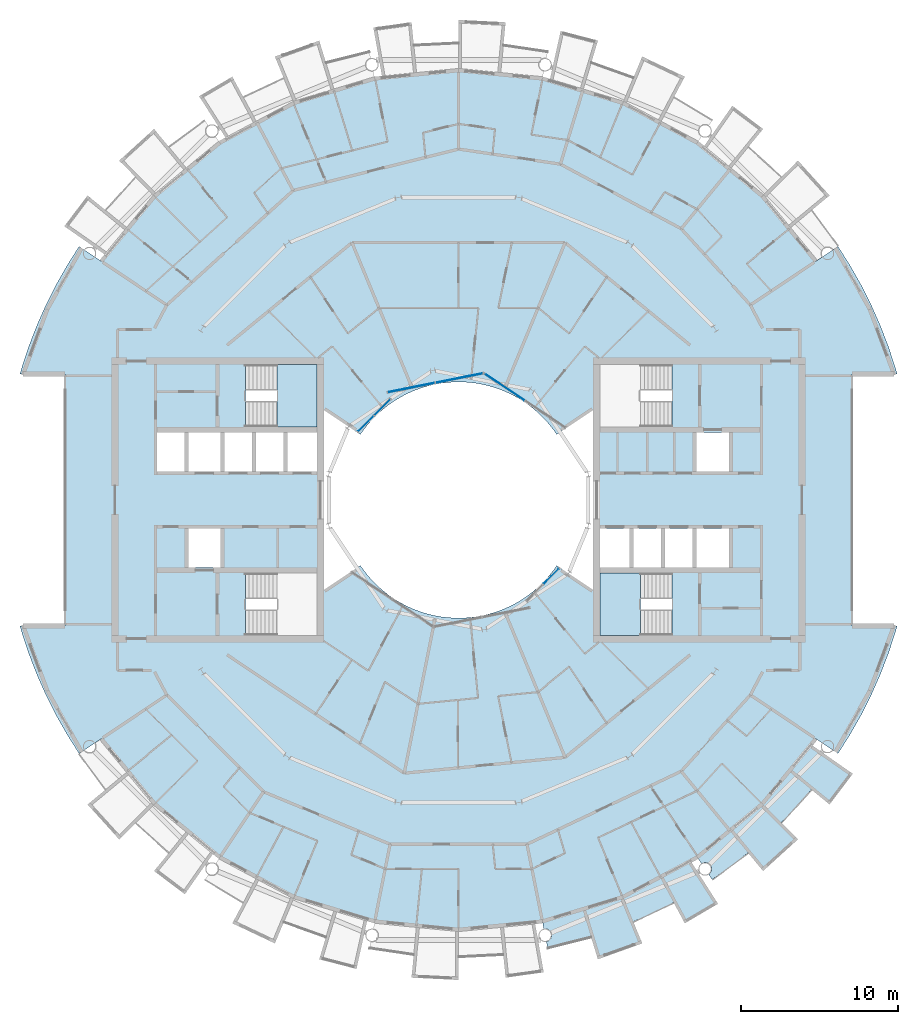
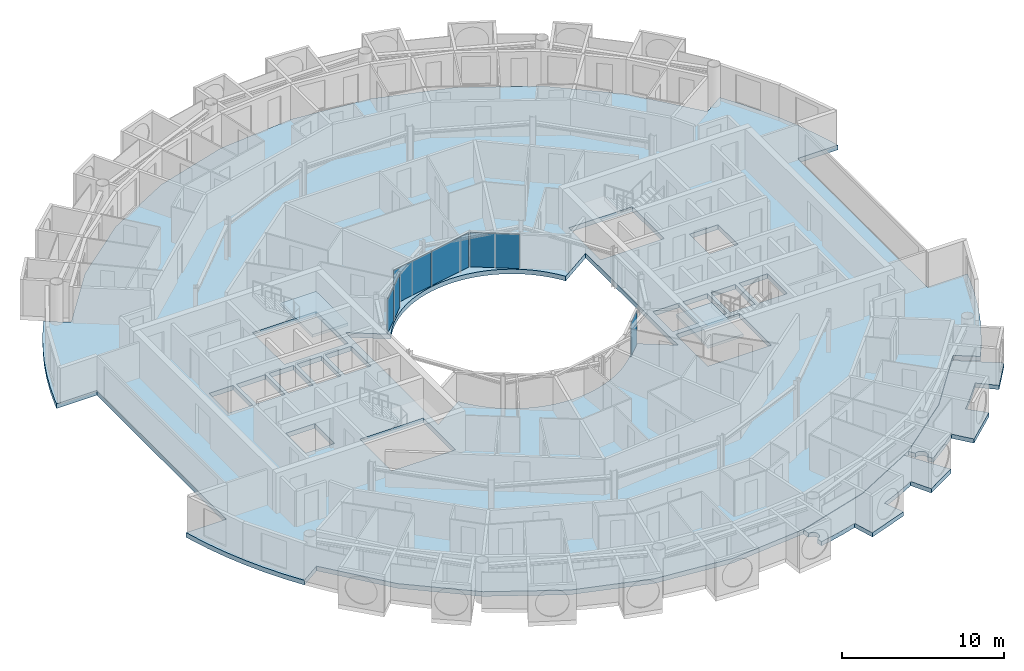
# One storey, part 12 of 29: 6 plates, 5 slabs, 6 elements without a shape of their own.
"""IFC4 building model written with IfcOpenShell, lengths in metres."""

from ifc_helpers import new_model, si_unit, direction, frame, origin, origin_2d, place, context, subcontext, project, spatial, polyline, rectangle, outline, extrude, material, layer, layer_set, type_object, element, aggregate, save


model = new_model("IFC4")

# Units and contexts
model_context = context("Model", 3, precision=1e-05, world=origin(), true_north=direction((0.0, 1.0)))
body_context = subcontext(model_context, "Body", "Model", "MODEL_VIEW")
ifc_project = project(units=[si_unit("LENGTHUNIT", "METRE"), si_unit("AREAUNIT", "SQUARE_METRE"), si_unit("VOLUMEUNIT", "CUBIC_METRE"), si_unit("PLANEANGLEUNIT", "RADIAN"), si_unit("MASSUNIT", "GRAM", prefix="KILO")], contexts=[model_context])

# Site, building, storey
site_placement = place(None, origin())
site = spatial("IfcSite", under=ifc_project, at=site_placement, CompositionType="ELEMENT")
building_placement = place(site_placement, origin())
building = spatial("IfcBuilding", under=site, at=building_placement, Name="Maasbend Ring Residences", CompositionType="ELEMENT")
storey_placement = place(building_placement, frame((0.0, 0.0, 212.699951171875)))
storey = spatial("IfcBuildingStorey", under=building, at=storey_placement, Name="L61", CompositionType="ELEMENT", Elevation=212.699951171875)

# Stair, slab
ifc_material_1 = material(Name="Concrete C40/50", Category="concrete")
stair_type = type_object("IfcStairType", Name="CORE STAIR 18 RISERS", PredefinedType="HALF_TURN_STAIR", material=ifc_material_1)
stair_1_placement = place(storey_placement, origin())
stair_1 = element("IfcStair", 1, at=stair_1_placement, inside=storey, type_object=stair_type, Name="L61 Exit stair ST-E2", PredefinedType="HALF_TURN_STAIR")
ifc_material_2 = material(Name="Concrete C40/50", Category="concrete")
ifc_layer_1 = layer(ifc_material_2, 0.199951171875)
ifc_layer_set_1 = layer_set([ifc_layer_1], Name="Concrete C40/50")
slab_type_1 = type_object("IfcSlabType", Name="CORE STAIR LANDING 200", PredefinedType="LANDING", material=ifc_layer_set_1)
slab_1_placement = place(storey_placement, frame((0.0, 0.0, 1.324951171875)))
slab_1 = element("IfcSlab", 2, at=slab_1_placement, type_object=slab_type_1, Name="ST-E2 landing 1", PredefinedType="LANDING", context=body_context, shape_type="SweptSolid", body=[
    extrude(outline(polyline([(11.550048828125, -4.64990234375), (9.0, -4.64990234375), (9.0, -8.60009765625), (11.550048828125, -8.60009765625), (11.550048828125, -4.64990234375)])), origin(), (0.0, 0.0, 1.0), 0.2001953125),
])
aggregate(stair_1, [slab_1])

stair_2_placement = place(storey_placement, origin())
stair_2 = element("IfcStair", 3, at=stair_2_placement, inside=storey, type_object=stair_type, Name="L61 Exit stair ST-W2", PredefinedType="HALF_TURN_STAIR")
slab_2_placement = place(storey_placement, frame((0.0, 0.0, 1.324951171875)))
slab_2 = element("IfcSlab", 4, at=slab_2_placement, type_object=slab_type_1, Name="ST-W2 landing 1", PredefinedType="LANDING", context=body_context, shape_type="SweptSolid", body=[
    extrude(outline(polyline([(-11.550048828125, 4.64990234375), (-9.0, 4.64990234375), (-9.0, 8.60009765625), (-11.550048828125, 8.60009765625), (-11.550048828125, 4.64990234375)])), origin(), (0.0, 0.0, 1.0), 0.2001953125),
])
aggregate(stair_2, [slab_2])

# Curtain wall, plate
ifc_material_3 = material(Name="Aluminium and clear glass", Category="aluminium")
ifc_layer_2 = layer(ifc_material_3, 0.179931640625)
ifc_layer_set_2 = layer_set([ifc_layer_2], Name="CW-W")
curtain_wall_type = type_object("IfcCurtainWallType", Name="CW-W", PredefinedType="NOTDEFINED", material=ifc_layer_set_2)
curtain_wall_1_placement = place(storey_placement, origin())
curtain_wall_1 = element("IfcCurtainWall", 5, at=curtain_wall_1_placement, inside=storey, type_object=curtain_wall_type, Name="Well curtain wall N1", PredefinedType="NOTDEFINED")
ifc_material_4 = material(Name="Glass clear laminated", Category="glass")
ifc_layer_3 = layer(ifc_material_4, 0.031982421875)
ifc_layer_set_3 = layer_set([ifc_layer_3], Name="CWP-W")
plate_type = type_object("IfcPlateType", Name="CWP-W", PredefinedType="CURTAIN_PANEL", material=ifc_layer_set_3)
plate_1_placement = place(storey_placement, frame((2.922119140625, 7.17578125, 0.0), z_axis=(0.0, 0.0, 1.0), x_axis=(-0.831469612303, 0.55557023302, 0.0)))
plate_1 = element("IfcPlate", 6, at=plate_1_placement, type_object=plate_type, Name="Glass panel well face", PredefinedType="CURTAIN_PANEL", context=body_context, shape_type="SweptSolid", body=[
    extrude(rectangle(XDim=3.053955078125, YDim=0.031982421875, at=origin_2d()), origin(), (0.0, 0.0, 1.0), 2.580078125),
])
aggregate(curtain_wall_1, [plate_1])

# Curtain wall, plates
curtain_wall_2_placement = place(storey_placement, origin())
curtain_wall_2 = element("IfcCurtainWall", 7, at=curtain_wall_2_placement, inside=storey, type_object=curtain_wall_type, Name="Well curtain wall N2", PredefinedType="NOTDEFINED")
plate_2_placement = place(storey_placement, frame((0.04638671875, 7.747802734375, 0.0), z_axis=(0.0, 0.0, 1.0), x_axis=(-0.980785280403, -0.195090322016, 0.0)))
plate_2 = element("IfcPlate", 8, at=plate_2_placement, type_object=plate_type, Name="Glass panel well face", PredefinedType="CURTAIN_PANEL", context=body_context, shape_type="SweptSolid", body=[
    extrude(rectangle(XDim=3.053955078125, YDim=0.031982421875, at=origin_2d()), origin(), (0.0, 0.0, 1.0), 2.580078125),
])
plate_3_placement = place(storey_placement, frame((-3.0078125, 7.140380859375, 0.0), z_axis=(0.0, 0.0, 1.0), x_axis=(-0.980785280403, -0.195090322016, 0.0)))
plate_3 = element("IfcPlate", 9, at=plate_3_placement, type_object=plate_type, Name="Glass panel well face", PredefinedType="CURTAIN_PANEL", context=body_context, shape_type="SweptSolid", body=[
    extrude(rectangle(XDim=3.053955078125, YDim=0.031982421875, at=origin_2d()), origin(), (0.0, 0.0, 1.0), 2.580078125),
])
aggregate(curtain_wall_2, [plate_2, plate_3])

curtain_wall_3_placement = place(storey_placement, origin())
curtain_wall_3 = element("IfcCurtainWall", 10, at=curtain_wall_3_placement, inside=storey, type_object=curtain_wall_type, Name="Well curtain wall N3", PredefinedType="NOTDEFINED")
plate_4_placement = place(storey_placement, frame((-4.84375, 5.89013671875, 0.0), z_axis=(0.0, 0.0, 1.0), x_axis=(-0.707106781187, -0.707106781187, 0.0)))
plate_4 = element("IfcPlate", 11, at=plate_4_placement, type_object=plate_type, Name="Glass panel well face", PredefinedType="CURTAIN_PANEL", context=body_context, shape_type="SweptSolid", body=[
    extrude(rectangle(XDim=1.419677734375, YDim=0.031982421875, at=origin_2d()), origin(), (0.0, 0.0, 1.0), 2.580078125),
])
plate_5_placement = place(storey_placement, frame((-5.89013671875, 4.84375, 0.0), z_axis=(0.0, 0.0, 1.0), x_axis=(-0.707106781187, -0.707106781187, 0.0)))
plate_5 = element("IfcPlate", 12, at=plate_5_placement, type_object=plate_type, Name="Glass panel well face", PredefinedType="CURTAIN_PANEL", context=body_context, shape_type="SweptSolid", body=[
    extrude(rectangle(XDim=1.419677734375, YDim=0.031982421875, at=origin_2d()), origin(), (0.0, 0.0, 1.0), 2.580078125),
])
aggregate(curtain_wall_3, [plate_4, plate_5])

# Curtain wall, plate
curtain_wall_4_placement = place(storey_placement, origin())
curtain_wall_4 = element("IfcCurtainWall", 13, at=curtain_wall_4_placement, inside=storey, type_object=curtain_wall_type, Name="Well curtain wall S3", PredefinedType="NOTDEFINED")
plate_6_placement = place(storey_placement, frame((5.89013671875, -4.84375, 0.0), z_axis=(0.0, 0.0, 1.0), x_axis=(0.707106781187, 0.707106781187, 0.0)))
plate_6 = element("IfcPlate", 14, at=plate_6_placement, type_object=plate_type, Name="Glass panel well face", PredefinedType="CURTAIN_PANEL", context=body_context, shape_type="SweptSolid", body=[
    extrude(rectangle(XDim=1.419677734375, YDim=0.031982421875, at=origin_2d()), origin(), (0.0, 0.0, 1.0), 2.580078125),
])
aggregate(curtain_wall_4, [plate_6])

# Slabs
ifc_material_5 = material(Name="Concrete C40/50", Category="concrete")
ifc_layer_4 = layer(ifc_material_5, 0.35009765625)
ifc_layer_set_4 = layer_set([ifc_layer_4], Name="Concrete C40/50")
slab_type_2 = type_object("IfcSlabType", Name="Post-tensioned flat plate 350", PredefinedType="FLOOR", material=ifc_layer_set_4)
slab_3_placement = place(storey_placement, frame((0.0, 0.0, -0.349853515625)))
element("IfcSlab", 15, at=slab_3_placement, inside=storey, type_object=slab_type_2, Name="Floor slab L61", PredefinedType="FLOOR", context=body_context, shape_type="SweptSolid", body=[
    extrude(outline(polyline([(24.8740234375, -14.908935546875), (25.57568359375, -13.67041015625), (26.2158203125, -12.399169921875), (26.79248046875, -11.097900390625), (27.3046875, -9.769775390625), (27.751220703125, -8.418212890625), (27.866943359375, -8.0), (25.0, -8.0), (25.0, 8.0), (27.866943359375, 8.0), (27.751220703125, 8.418212890625), (27.3046875, 9.769775390625), (26.79248046875, 11.097900390625), (26.2158203125, 12.399169921875), (25.57568359375, 13.67041015625), (24.8740234375, 14.908935546875), (24.112548828125, 16.111572265625), (22.69921875, 15.1669921875), (19.303955078125, 19.303955078125), (15.1669921875, 22.69921875), (10.447265625, 25.221923828125), (5.325927734375, 26.775390625), (0.0, 27.300048828125), (-5.325927734375, 26.775390625), (-10.447265625, 25.221923828125), (-15.1669921875, 22.69921875), (-19.303955078125, 19.303955078125), (-22.69921875, 15.1669921875), (-24.112548828125, 16.111572265625), (-24.8740234375, 14.908935546875), (-25.57568359375, 13.67041015625), (-26.2158203125, 12.399169921875), (-26.79248046875, 11.097900390625), (-27.3046875, 9.769775390625), (-27.751220703125, 8.418212890625), (-27.866943359375, 8.0), (-25.0, 8.0), (-25.0, -8.0), (-27.866943359375, -8.0), (-27.751220703125, -8.418212890625), (-27.3046875, -9.769775390625), (-26.79248046875, -11.097900390625), (-26.2158203125, -12.399169921875), (-25.57568359375, -13.67041015625), (-24.8740234375, -14.908935546875), (-24.112548828125, -16.111572265625), (-22.69921875, -15.1669921875), (-19.303955078125, -19.303955078125), (-15.1669921875, -22.69921875), (-10.447265625, -25.221923828125), (-5.325927734375, -26.775390625), (0.0, -27.300048828125), (5.325927734375, -26.775390625), (10.447265625, -25.221923828125), (15.1669921875, -22.69921875), (19.303955078125, -19.303955078125), (22.69921875, -15.1669921875), (24.112548828125, -16.111572265625), (24.8740234375, -14.908935546875)]), holes=[polyline([(15.125, 1.824951171875), (15.125, 4.27490234375), (17.175048828125, 4.27490234375), (17.175048828125, 1.824951171875), (15.125, 1.824951171875)]), polyline([(15.125, -4.27490234375), (15.125, -1.824951171875), (17.175048828125, -1.824951171875), (17.175048828125, -4.27490234375), (15.125, -4.27490234375)]), polyline([(13.125, -4.27490234375), (13.125, -1.824951171875), (14.875, -1.824951171875), (14.875, -4.27490234375), (13.125, -4.27490234375)]), polyline([(13.550048828125, 8.60009765625), (13.550048828125, 4.64990234375), (9.0, 4.64990234375), (9.0, 8.60009765625), (13.550048828125, 8.60009765625)]), polyline([(13.550048828125, -4.64990234375), (13.550048828125, -8.60009765625), (9.0, -8.60009765625), (9.0, -4.64990234375), (13.550048828125, -4.64990234375)]), polyline([(11.125, -4.27490234375), (11.125, -1.824951171875), (12.875, -1.824951171875), (12.875, -4.27490234375), (11.125, -4.27490234375)]), polyline([(9.0, -4.27490234375), (9.0, -1.824951171875), (10.875, -1.824951171875), (10.875, -4.27490234375), (9.0, -4.27490234375)]), polyline([(6.024169921875, 4.4677734375), (6.236083984375, 4.166748046875), (8.550048828125, 5.712890625), (8.550048828125, -5.712890625), (6.236083984375, -4.166748046875), (6.024169921875, -4.4677734375), (5.797607421875, -4.7578125), (5.55712890625, -5.03662109375), (5.30322265625, -5.30322265625), (5.03662109375, -5.55712890625), (4.7578125, -5.797607421875), (4.4677734375, -6.024169921875), (4.166748046875, -6.236083984375), (3.855712890625, -6.43310546875), (3.535400390625, -6.614501953125), (3.206787109375, -6.77978515625), (2.8701171875, -6.92919921875), (2.526611328125, -7.0615234375), (2.177001953125, -7.177001953125), (1.822509765625, -7.275146484375), (1.463134765625, -7.35595703125), (1.1005859375, -7.418701171875), (0.735107421875, -7.4638671875), (0.367919921875, -7.490966796875), (0.0, -7.5), (-0.367919921875, -7.490966796875), (-0.735107421875, -7.4638671875), (-1.1005859375, -7.418701171875), (-1.463134765625, -7.35595703125), (-1.822509765625, -7.275146484375), (-2.177001953125, -7.177001953125), (-2.526611328125, -7.0615234375), (-2.8701171875, -6.92919921875), (-3.206787109375, -6.77978515625), (-3.535400390625, -6.614501953125), (-3.855712890625, -6.43310546875), (-4.166748046875, -6.236083984375), (-4.4677734375, -6.024169921875), (-4.7578125, -5.797607421875), (-5.03662109375, -5.55712890625), (-5.30322265625, -5.30322265625), (-5.55712890625, -5.03662109375), (-5.797607421875, -4.7578125), (-6.024169921875, -4.4677734375), (-6.236083984375, -4.166748046875), (-8.550048828125, -5.712890625), (-8.550048828125, 5.712890625), (-6.236083984375, 4.166748046875), (-6.024169921875, 4.4677734375), (-5.797607421875, 4.7578125), (-5.55712890625, 5.03662109375), (-5.30322265625, 5.30322265625), (-5.03662109375, 5.55712890625), (-4.7578125, 5.797607421875), (-4.4677734375, 6.024169921875), (-4.166748046875, 6.236083984375), (-3.855712890625, 6.43310546875), (-3.535400390625, 6.614501953125), (-3.206787109375, 6.77978515625), (-2.8701171875, 6.92919921875), (-2.526611328125, 7.0615234375), (-2.177001953125, 7.177001953125), (-1.822509765625, 7.275146484375), (-1.463134765625, 7.35595703125), (-1.1005859375, 7.418701171875), (-0.735107421875, 7.4638671875), (-0.367919921875, 7.490966796875), (0.0, 7.5), (0.367919921875, 7.490966796875), (0.735107421875, 7.4638671875), (1.1005859375, 7.418701171875), (1.463134765625, 7.35595703125), (1.822509765625, 7.275146484375), (2.177001953125, 7.177001953125), (2.526611328125, 7.0615234375), (2.8701171875, 6.92919921875), (3.206787109375, 6.77978515625), (3.535400390625, 6.614501953125), (3.855712890625, 6.43310546875), (4.166748046875, 6.236083984375), (4.4677734375, 6.024169921875), (4.7578125, 5.797607421875), (5.03662109375, 5.55712890625), (5.30322265625, 5.30322265625), (5.55712890625, 5.03662109375), (5.797607421875, 4.7578125), (6.024169921875, 4.4677734375)]), polyline([(-13.550048828125, 4.64990234375), (-13.550048828125, 8.60009765625), (-9.0, 8.60009765625), (-9.0, 4.64990234375), (-13.550048828125, 4.64990234375)]), polyline([(-9.0, -8.60009765625), (-13.550048828125, -8.60009765625), (-13.550048828125, -4.64990234375), (-9.0, -4.64990234375), (-9.0, -8.60009765625)]), polyline([(-9.0, 4.27490234375), (-9.0, 1.824951171875), (-10.875, 1.824951171875), (-10.875, 4.27490234375), (-9.0, 4.27490234375)]), polyline([(-11.125, 4.27490234375), (-11.125, 1.824951171875), (-12.875, 1.824951171875), (-12.875, 4.27490234375), (-11.125, 4.27490234375)]), polyline([(-13.125, 4.27490234375), (-13.125, 1.824951171875), (-14.875, 1.824951171875), (-14.875, 4.27490234375), (-13.125, 4.27490234375)]), polyline([(-15.125, 4.27490234375), (-15.125, 1.824951171875), (-17.175048828125, 1.824951171875), (-17.175048828125, 4.27490234375), (-15.125, 4.27490234375)]), polyline([(-15.125, -1.824951171875), (-15.125, -4.27490234375), (-17.175048828125, -4.27490234375), (-17.175048828125, -1.824951171875), (-15.125, -1.824951171875)]), polyline([(-17.425048828125, 4.27490234375), (-17.425048828125, 1.824951171875), (-19.14990234375, 1.824951171875), (-19.14990234375, 4.27490234375), (-17.425048828125, 4.27490234375)])]), origin(), (0.0, 0.0, 1.0), 0.349853515625),
])
ifc_material_6 = material(Name="Concrete C40/50", Category="concrete")
ifc_layer_5 = layer(ifc_material_6, 0.199951171875)
ifc_layer_set_5 = layer_set([ifc_layer_5], Name="Concrete C40/50")
slab_type_3 = type_object("IfcSlabType", Name="SL-LOGGIA", PredefinedType="FLOOR", material=ifc_layer_set_5)
slab_4_placement = place(storey_placement, frame((0.0, 0.0, -0.349853515625)))
element("IfcSlab", 16, at=slab_4_placement, inside=storey, type_object=slab_type_3, Name="Loggia floor 2", PredefinedType="FLOOR", context=body_context, shape_type="SweptSolid", body=[
    extrude(outline(polyline([(10.447021484375, -25.221923828125), (12.806884765625, -23.9609375), (14.73291015625, -22.930908203125), (14.73291015625, -22.930908203125), (14.73291015625, -22.930908203125), (16.487060546875, -25.659912109375), (16.487060546875, -25.659912109375), (16.487060546875, -25.659912109375), (14.3779296875, -26.89892578125), (14.3779296875, -26.89892578125), (14.3779296875, -26.89892578125), (13.6708984375, -25.575927734375), (13.6708984375, -25.575927734375), (13.6708984375, -25.575927734375), (13.6708984375, -25.575927734375), (13.6708984375, -25.575927734375), (13.6708984375, -25.575927734375), (13.6708984375, -25.575927734375), (13.669921875, -25.575927734375), (13.669921875, -25.575927734375), (13.669921875, -25.575927734375), (13.669921875, -25.575927734375), (13.669921875, -25.575927734375), (13.669921875, -25.575927734375), (13.669921875, -25.575927734375), (13.669921875, -25.575927734375), (13.669921875, -25.575927734375), (13.669921875, -25.575927734375), (12.825927734375, -26.009033203125), (12.825927734375, -26.009033203125), (11.968994140625, -26.4150390625), (11.968994140625, -26.4150390625), (11.097900390625, -26.7919921875), (11.097900390625, -26.7919921875), (11.097900390625, -26.7919921875), (11.097900390625, -26.7919921875), (11.097900390625, -26.7919921875), (11.097900390625, -26.7919921875), (11.097900390625, -26.7919921875), (11.097900390625, -26.79296875), (11.097900390625, -26.79296875), (11.097900390625, -26.79296875), (11.097900390625, -26.79296875), (11.097900390625, -26.79296875), (11.097900390625, -26.79296875), (11.097900390625, -26.79296875), (11.097900390625, -26.79296875), (11.097900390625, -26.79296875), (11.097900390625, -26.79296875), (11.672119140625, -28.177978515625), (11.672119140625, -28.177978515625), (11.672119140625, -28.177978515625), (8.85400390625, -29.18701171875), (8.85400390625, -29.18701171875), (8.85400390625, -29.18701171875), (8.41796875, -27.751953125), (8.41796875, -27.751953125), (8.41796875, -27.751953125), (8.41796875, -27.751953125), (8.41796875, -27.751953125), (8.41796875, -27.751953125), (8.41796875, -27.751953125), (8.41796875, -27.7509765625), (8.41796875, -27.7509765625), (8.41796875, -27.7509765625), (8.41796875, -27.7509765625), (8.41796875, -27.7509765625), (8.41796875, -27.7509765625), (8.41796875, -27.7509765625), (8.41796875, -27.7509765625), (8.41796875, -27.7509765625), (8.41796875, -27.7509765625), (7.506103515625, -28.011962890625), (7.506103515625, -28.011962890625), (6.5849609375, -28.241943359375), (6.5849609375, -28.241943359375), (5.657958984375, -28.443115234375), (5.657958984375, -28.443115234375), (5.657958984375, -28.443115234375), (5.5810546875, -28.056884765625), (5.591064453125, -28.054931640625), (5.60009765625, -28.052001953125), (5.610107421875, -28.050048828125), (5.6201171875, -28.047119140625), (5.62890625, -28.0439453125), (5.637939453125, -28.041015625), (5.64794921875, -28.037109375), (5.656982421875, -28.033935546875), (5.666015625, -28.030029296875), (5.675048828125, -28.02587890625), (5.68408203125, -28.02099609375), (5.693115234375, -28.01708984375), (5.701904296875, -28.011962890625), (5.7099609375, -28.007080078125), (5.718994140625, -28.001953125), (5.72705078125, -27.99609375), (5.736083984375, -27.989990234375), (5.743896484375, -27.985107421875), (5.751953125, -27.97900390625), (5.759033203125, -27.971923828125), (5.76708984375, -27.966064453125), (5.77392578125, -27.958984375), (5.781982421875, -27.952880859375), (5.7890625, -27.946044921875), (5.7958984375, -27.93798828125), (5.802978515625, -27.930908203125), (5.80908203125, -27.924072265625), (5.81591796875, -27.916015625), (5.822021484375, -27.907958984375), (5.827880859375, -27.89990234375), (5.833984375, -27.89208984375), (5.839111328125, -27.884033203125), (5.844970703125, -27.8759765625), (5.85009765625, -27.866943359375), (5.85498046875, -27.85791015625), (5.860107421875, -27.85009765625), (5.864990234375, -27.841064453125), (5.868896484375, -27.83203125), (5.873046875, -27.822998046875), (5.876953125, -27.81396484375), (5.881103515625, -27.803955078125), (5.884033203125, -27.794921875), (5.886962890625, -27.785888671875), (5.889892578125, -27.77587890625), (5.89306640625, -27.76708984375), (5.89599609375, -27.757080078125), (5.89794921875, -27.7470703125), (5.89990234375, -27.737060546875), (5.902099609375, -27.72802734375), (5.904052734375, -27.718017578125), (5.905029296875, -27.7080078125), (5.906005859375, -27.697998046875), (5.906982421875, -27.68798828125), (5.907958984375, -27.677978515625), (5.907958984375, -27.66796875), (5.907958984375, -27.657958984375), (5.907958984375, -27.64794921875), (5.907958984375, -27.637939453125), (5.906982421875, -27.6279296875), (5.906005859375, -27.617919921875), (5.905029296875, -27.60791015625), (5.904052734375, -27.597900390625), (5.902099609375, -27.589111328125), (5.89990234375, -27.5791015625), (5.89794921875, -27.569091796875), (5.89599609375, -27.55908203125), (5.89306640625, -27.550048828125), (5.889892578125, -27.5400390625), (5.886962890625, -27.531005859375), (5.884033203125, -27.52099609375), (5.881103515625, -27.511962890625), (5.876953125, -27.5029296875), (5.873046875, -27.492919921875), (5.868896484375, -27.48388671875), (5.864990234375, -27.47509765625), (5.860107421875, -27.466064453125), (5.85498046875, -27.4580078125), (5.85009765625, -27.448974609375), (5.844970703125, -27.44091796875), (5.839111328125, -27.431884765625), (5.833984375, -27.424072265625), (5.827880859375, -27.416015625), (5.822021484375, -27.407958984375), (5.81591796875, -27.39990234375), (5.80908203125, -27.39306640625), (5.802978515625, -27.385009765625), (5.7958984375, -27.3779296875), (5.7890625, -27.37109375), (5.781982421875, -27.364013671875), (5.77392578125, -27.35693359375), (5.76708984375, -27.35009765625), (5.759033203125, -27.343994140625), (5.751953125, -27.337890625), (5.743896484375, -27.33203125), (5.736083984375, -27.325927734375), (5.72705078125, -27.320068359375), (5.718994140625, -27.31494140625), (5.7099609375, -27.30908203125), (5.701904296875, -27.303955078125), (5.693115234375, -27.300048828125), (5.68408203125, -27.294921875), (5.675048828125, -27.291015625), (5.666015625, -27.285888671875), (5.656982421875, -27.282958984375), (5.64794921875, -27.279052734375), (5.637939453125, -27.27490234375), (5.62890625, -27.27197265625), (5.6201171875, -27.26904296875), (5.610107421875, -27.26611328125), (5.60009765625, -27.263916015625), (5.591064453125, -27.260986328125), (5.5810546875, -27.259033203125), (5.571044921875, -27.258056640625), (5.56103515625, -27.256103515625), (5.551025390625, -27.2548828125), (5.541015625, -27.25390625), (5.531005859375, -27.2529296875), (5.52099609375, -27.251953125), (5.510986328125, -27.251953125), (5.501953125, -27.251953125), (5.491943359375, -27.251953125), (5.48193359375, -27.251953125), (5.471923828125, -27.2529296875), (5.4619140625, -27.25390625), (5.451904296875, -27.2548828125), (5.44189453125, -27.256103515625), (5.431884765625, -27.258056640625), (5.422119140625, -27.259033203125), (5.325927734375, -26.77490234375), (5.325927734375, -26.77490234375), (5.325927734375, -26.77490234375), (7.886962890625, -25.9990234375), (10.447021484375, -25.221923828125), (10.447021484375, -25.221923828125), (10.447021484375, -25.221923828125)])), origin(), (0.0, 0.0, 1.0), 0.31982421875),
])
slab_5_placement = place(storey_placement, frame((0.0, 0.0, -0.349853515625)))
element("IfcSlab", 17, at=slab_5_placement, inside=storey, type_object=slab_type_3, Name="Loggia floor 5", PredefinedType="FLOOR", context=body_context, shape_type="SweptSolid", body=[
    extrude(outline(polyline([(19.303955078125, -19.303955078125), (21.001953125, -17.236083984375), (22.386962890625, -15.547119140625), (22.386962890625, -15.547119140625), (22.386962890625, -15.547119140625), (25.051025390625, -17.39794921875), (25.051025390625, -17.39794921875), (25.051025390625, -17.39794921875), (23.576904296875, -19.34912109375), (23.576904296875, -19.34912109375), (23.576904296875, -19.34912109375), (22.41796875, -18.39794921875), (22.41796875, -18.39794921875), (22.41796875, -18.39794921875), (22.41796875, -18.39794921875), (22.41796875, -18.39794921875), (22.4169921875, -18.39794921875), (22.4169921875, -18.39794921875), (22.4169921875, -18.39794921875), (22.4169921875, -18.39794921875), (22.4169921875, -18.39794921875), (22.4169921875, -18.39794921875), (22.4169921875, -18.39794921875), (22.4169921875, -18.39794921875), (22.4169921875, -18.39794921875), (22.4169921875, -18.39794921875), (22.4169921875, -18.39794921875), (22.4169921875, -18.39794921875), (21.802978515625, -19.12109375), (21.802978515625, -19.12109375), (21.166015625, -19.823974609375), (21.166015625, -19.823974609375), (20.506103515625, -20.506103515625), (20.506103515625, -20.506103515625), (20.506103515625, -20.506103515625), (20.506103515625, -20.506103515625), (20.506103515625, -20.506103515625), (20.506103515625, -20.506103515625), (20.506103515625, -20.506103515625), (20.506103515625, -20.506103515625), (20.506103515625, -20.506103515625), (20.506103515625, -20.506103515625), (20.506103515625, -20.506103515625), (20.506103515625, -20.506103515625), (20.506103515625, -20.506103515625), (20.506103515625, -20.506103515625), (20.506103515625, -20.506103515625), (20.506103515625, -20.506103515625), (20.506103515625, -20.506103515625), (21.56689453125, -21.56689453125), (21.56689453125, -21.56689453125), (21.56689453125, -21.56689453125), (19.34912109375, -23.576904296875), (19.34912109375, -23.576904296875), (19.34912109375, -23.576904296875), (18.39794921875, -22.41796875), (18.39794921875, -22.41796875), (18.39794921875, -22.41796875), (18.39794921875, -22.41796875), (18.39794921875, -22.41796875), (18.39794921875, -22.41796875), (18.39697265625, -22.41796875), (18.39697265625, -22.41796875), (18.39697265625, -22.41796875), (18.39697265625, -22.41796875), (18.39697265625, -22.41796875), (18.39697265625, -22.41796875), (18.39697265625, -22.41796875), (18.39697265625, -22.41796875), (18.39697265625, -22.41796875), (18.39697265625, -22.41796875), (18.39697265625, -22.41796875), (17.654052734375, -23.007080078125), (17.654052734375, -23.007080078125), (16.89208984375, -23.572998046875), (16.89208984375, -23.572998046875), (16.112060546875, -24.113037109375), (16.112060546875, -24.113037109375), (16.112060546875, -24.113037109375), (15.89306640625, -23.784912109375), (15.89306640625, -23.784912109375), (15.90087890625, -23.780029296875), (15.908935546875, -23.77392578125), (15.9169921875, -23.76806640625), (15.925048828125, -23.761962890625), (15.93310546875, -23.7548828125), (15.93994140625, -23.7490234375), (15.947021484375, -23.741943359375), (15.955078125, -23.735107421875), (15.9619140625, -23.72802734375), (15.968017578125, -23.719970703125), (15.97509765625, -23.712890625), (15.98095703125, -23.705078125), (15.988037109375, -23.697021484375), (15.993896484375, -23.68994140625), (15.9990234375, -23.680908203125), (16.0048828125, -23.673095703125), (16.010986328125, -23.6650390625), (16.01611328125, -23.656005859375), (16.02099609375, -23.64794921875), (16.02587890625, -23.638916015625), (16.030029296875, -23.6298828125), (16.034912109375, -23.62109375), (16.0390625, -23.612060546875), (16.04296875, -23.60302734375), (16.0458984375, -23.593994140625), (16.050048828125, -23.583984375), (16.052978515625, -23.574951171875), (16.055908203125, -23.56494140625), (16.05908203125, -23.555908203125), (16.06103515625, -23.5458984375), (16.06396484375, -23.535888671875), (16.06591796875, -23.527099609375), (16.068115234375, -23.51708984375), (16.069091796875, -23.507080078125), (16.071044921875, -23.4970703125), (16.072021484375, -23.487060546875), (16.072021484375, -23.47705078125), (16.072998046875, -23.467041015625), (16.072998046875, -23.45703125), (16.073974609375, -23.447021484375), (16.072998046875, -23.43701171875), (16.072998046875, -23.427001953125), (16.072021484375, -23.4169921875), (16.072021484375, -23.407958984375), (16.071044921875, -23.39794921875), (16.069091796875, -23.387939453125), (16.068115234375, -23.3779296875), (16.06591796875, -23.367919921875), (16.06396484375, -23.35791015625), (16.06103515625, -23.34912109375), (16.05908203125, -23.339111328125), (16.055908203125, -23.3291015625), (16.052978515625, -23.320068359375), (16.050048828125, -23.31005859375), (16.0458984375, -23.301025390625), (16.04296875, -23.2919921875), (16.0390625, -23.282958984375), (16.034912109375, -23.27392578125), (16.030029296875, -23.264892578125), (16.02587890625, -23.256103515625), (16.02099609375, -23.2470703125), (16.01611328125, -23.238037109375), (16.010986328125, -23.22998046875), (16.0048828125, -23.221923828125), (15.9990234375, -23.212890625), (15.993896484375, -23.205078125), (15.988037109375, -23.197021484375), (15.98095703125, -23.18994140625), (15.97509765625, -23.181884765625), (15.968017578125, -23.174072265625), (15.9619140625, -23.1669921875), (15.955078125, -23.159912109375), (15.947021484375, -23.153076171875), (15.93994140625, -23.14599609375), (15.93310546875, -23.139892578125), (15.925048828125, -23.133056640625), (15.9169921875, -23.126953125), (15.908935546875, -23.12109375), (15.90087890625, -23.114990234375), (15.89306640625, -23.10888671875), (15.885009765625, -23.10400390625), (15.8759765625, -23.09912109375), (15.866943359375, -23.093994140625), (15.85888671875, -23.089111328125), (15.85009765625, -23.083984375), (15.841064453125, -23.080078125), (15.83203125, -23.075927734375), (15.822998046875, -23.072021484375), (15.81298828125, -23.068115234375), (15.803955078125, -23.06494140625), (15.794921875, -23.06103515625), (15.784912109375, -23.05810546875), (15.77587890625, -23.055908203125), (15.76611328125, -23.052978515625), (15.756103515625, -23.051025390625), (15.74609375, -23.049072265625), (15.737060546875, -23.047119140625), (15.72705078125, -23.044921875), (15.717041015625, -23.0439453125), (15.70703125, -23.04296875), (15.697021484375, -23.0419921875), (15.68701171875, -23.041015625), (15.677001953125, -23.041015625), (15.6669921875, -23.041015625), (15.656982421875, -23.041015625), (15.64697265625, -23.041015625), (15.636962890625, -23.0419921875), (15.626953125, -23.04296875), (15.616943359375, -23.0439453125), (15.60693359375, -23.044921875), (15.597900390625, -23.047119140625), (15.587890625, -23.049072265625), (15.577880859375, -23.051025390625), (15.568115234375, -23.052978515625), (15.55908203125, -23.055908203125), (15.549072265625, -23.05810546875), (15.5400390625, -23.06103515625), (15.530029296875, -23.06494140625), (15.52099609375, -23.068115234375), (15.511962890625, -23.072021484375), (15.501953125, -23.075927734375), (15.492919921875, -23.080078125), (15.48388671875, -23.083984375), (15.47509765625, -23.089111328125), (15.467041015625, -23.093994140625), (15.4580078125, -23.09912109375), (15.449951171875, -23.10400390625), (15.44091796875, -23.10888671875), (15.44091796875, -23.10888671875), (15.1669921875, -22.698974609375), (15.1669921875, -22.698974609375), (15.1669921875, -22.698974609375), (17.236083984375, -21.001953125), (19.303955078125, -19.303955078125), (19.303955078125, -19.303955078125), (19.303955078125, -19.303955078125)])), origin(), (0.0, 0.0, 1.0), 0.31982421875),
])

save(model, "model.ifc")
